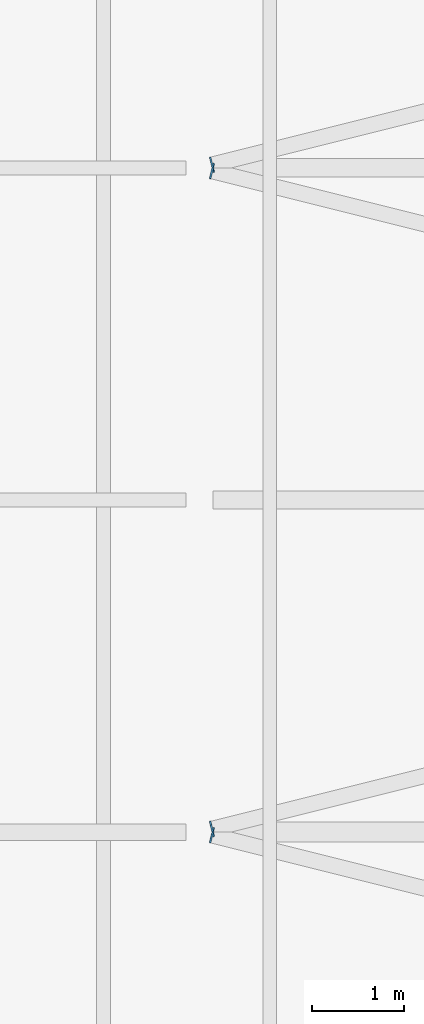
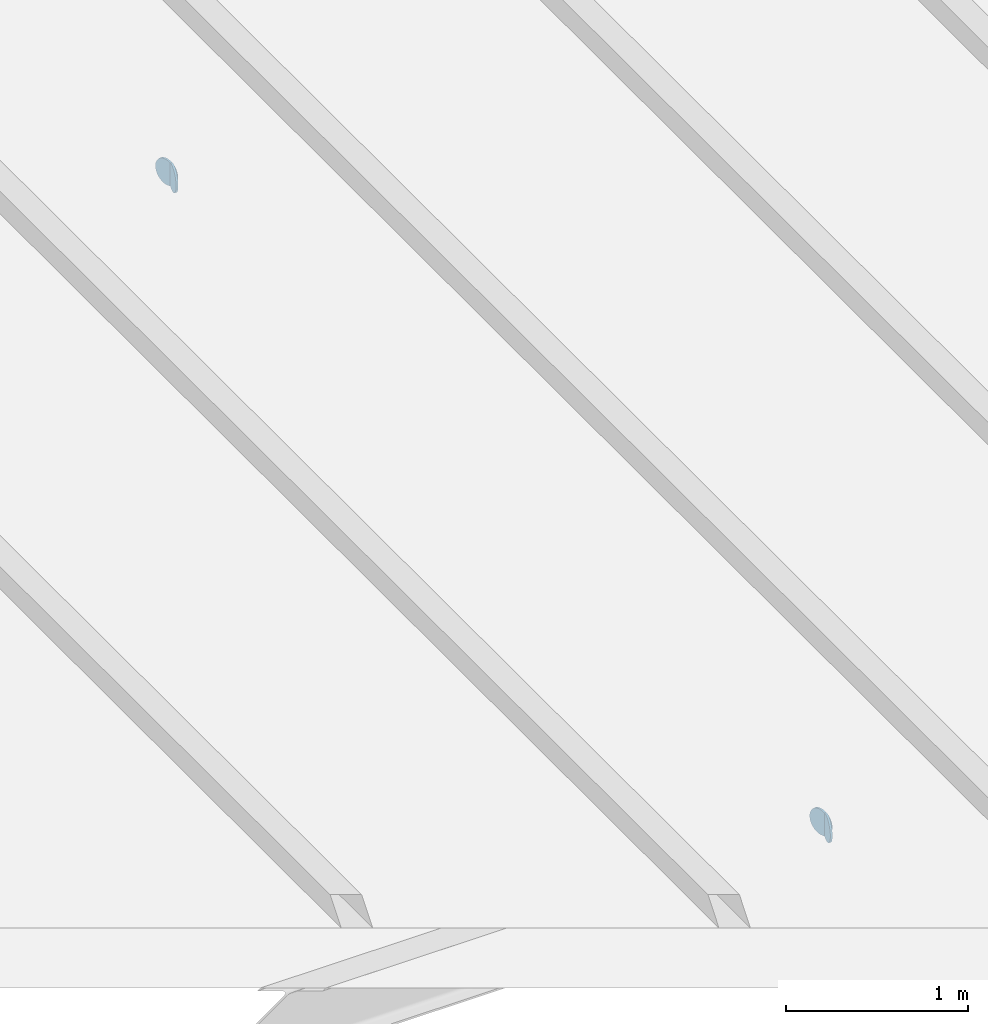
# One storey, part 86 of 120: 4 discrete accessories.
"""IFC4 building model written with IfcOpenShell, lengths in metres."""

from ifc_helpers import new_model, si_unit, direction, frame, origin, origin_2d, place, context, subcontext, project, spatial, circle, extrude, material, layer, layer_set, type_object, element, save


model = new_model("IFC4")

# Units and contexts
model_context = context("Model", 3, precision=1e-05, world=origin(), true_north=direction((0.0, 1.0)))
body_context = subcontext(model_context, "Body", "Model", "MODEL_VIEW")
ifc_project = project(units=[si_unit("LENGTHUNIT", "METRE"), si_unit("AREAUNIT", "SQUARE_METRE"), si_unit("VOLUMEUNIT", "CUBIC_METRE"), si_unit("PLANEANGLEUNIT", "RADIAN"), si_unit("MASSUNIT", "GRAM", prefix="KILO")], contexts=[model_context])

# Site, building, storey
site_placement = place(None, origin())
site = spatial("IfcSite", under=ifc_project, at=site_placement, CompositionType="ELEMENT")
building_placement = place(site_placement, origin())
building = spatial("IfcBuilding", under=site, at=building_placement, Name="Kupolbacken Congress Centre", CompositionType="ELEMENT")
storey_placement = place(building_placement, frame((0.0, 0.0, 21.60009765625)))
storey = spatial("IfcBuildingStorey", under=building, at=storey_placement, Name="L06", CompositionType="ELEMENT", Elevation=21.60009765625)

# Discrete accessories
ifc_material = material(Name="Steel S355", Category="steel")
ifc_layer = layer(ifc_material, 0.011962890625)
ifc_layer_set = layer_set([ifc_layer], Name="Steel S355")
discrete_accessory_type = type_object("IfcDiscreteAccessoryType", Name="EC2 tube end cap plate 168 dia x 12", PredefinedType="BRACKET", material=ifc_layer_set)
for number, where, z_axis, x_axis, name in (
    (1, (93.74072265625, 104.36474609375, -0.084228515625), (-0.970142500145, 0.242535625036, 0.0), (-0.242535625036, -0.970142500145, 0.0), "End cap plate HR/RB/01-16 B"),
    (2, (93.74072265625, 104.435302734375, -0.084228515625), (-0.970142500145, -0.242535625036, 0.0), (0.242535625036, -0.970142500145, 0.0), "End cap plate HR/RB/01-17 A"),
    (3, (93.74072265625, 111.564697265625, -0.084228515625), (-0.970142500145, 0.242535625036, 0.0), (-0.242535625036, -0.970142500145, 0.0), "End cap plate HR/RB/01-18 B"),
    (4, (93.74072265625, 111.63525390625, -0.084228515625), (-0.970142500145, -0.242535625036, 0.0), (0.242535625036, -0.970142500145, 0.0), "End cap plate HR/RB/01-19 A"),
):
    element("IfcDiscreteAccessory", number, at=place(storey_placement, frame(where, z_axis=z_axis, x_axis=x_axis)), inside=storey, type_object=discrete_accessory_type, Name=name, PredefinedType="BRACKET", context=body_context, shape_type="SweptSolid", body=[
        extrude(circle(Radius=0.084228515625, at=origin_2d()), origin(), (0.0, 0.0, 1.0), 0.011962890625),
    ])

save(model, "model.ifc")
